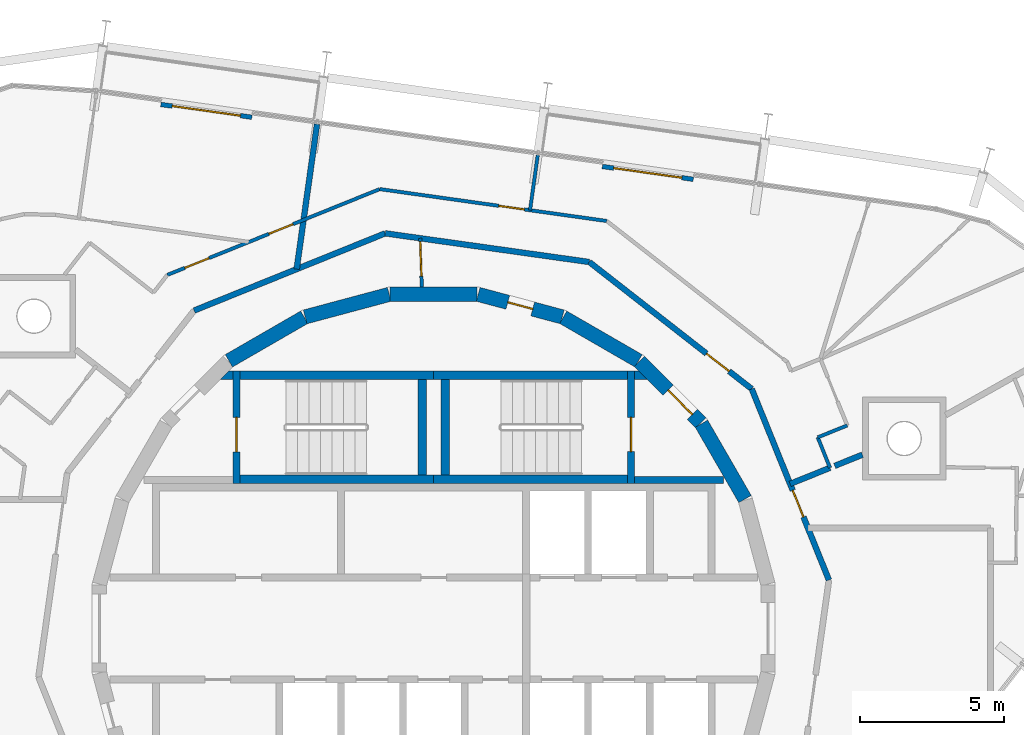
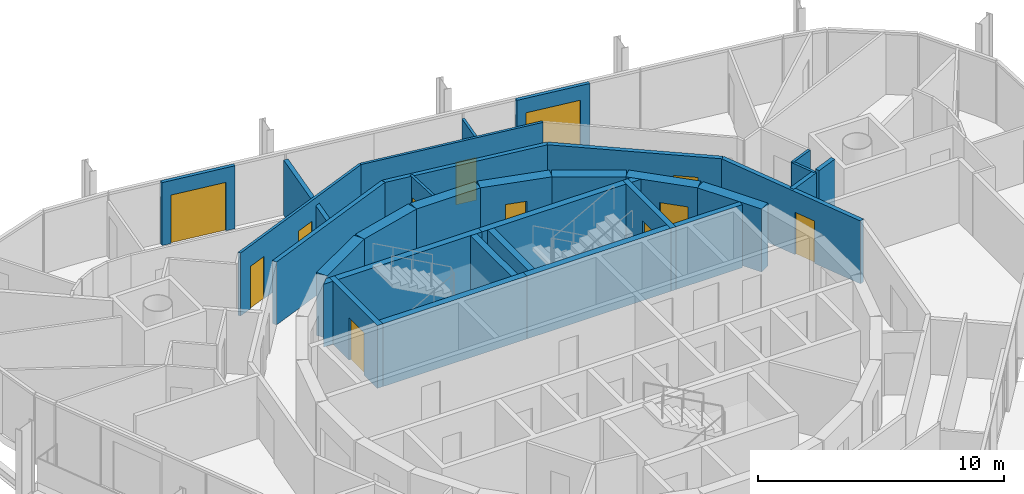
# One storey, part 13 of 15: 33 walls, 12 doors, 12 openings.
"""IFC4 building model written with IfcOpenShell, lengths in metres."""

from ifc_helpers import new_model, si_unit, direction, frame, frame_2d, origin, place, context, subcontext, project, spatial, polyline, rectangle, outline, extrude, material, layer, layer_set, type_object, element, fill, save


model = new_model("IFC4")

# Units and contexts
model_context = context("Model", 3, precision=1e-05, world=origin(), true_north=direction((0.0, 1.0)))
body_context = subcontext(model_context, "Body", "Model", "MODEL_VIEW")
ifc_project = project(units=[si_unit("LENGTHUNIT", "METRE"), si_unit("AREAUNIT", "SQUARE_METRE"), si_unit("VOLUMEUNIT", "CUBIC_METRE"), si_unit("PLANEANGLEUNIT", "RADIAN"), si_unit("MASSUNIT", "GRAM", prefix="KILO")], contexts=[model_context])

# Site, building, storey
site_placement = place(None, origin())
site = spatial("IfcSite", under=ifc_project, at=site_placement, CompositionType="ELEMENT")
building_placement = place(site_placement, origin())
building = spatial("IfcBuilding", under=site, at=building_placement, Name="Spindle Arch Residences", CompositionType="ELEMENT")
storey_placement = place(building_placement, frame((0.0, 0.0, 336.5)))
storey = spatial("IfcBuildingStorey", under=building, at=storey_placement, Name="L86", CompositionType="ELEMENT", Elevation=336.5)

# Wall
ifc_material_1 = material(Name="Concrete C50/60", Category="concrete")
ifc_layer_1 = layer(ifc_material_1, 0.5)
ifc_layer_set_1 = layer_set([ifc_layer_1], Name="Core outline wall 500")
wall_type_1 = type_object("IfcWallType", Name="Core outline wall 500", PredefinedType="SHEAR", material=ifc_layer_set_1)
wall_1_placement = place(storey_placement, frame((10.84521484375, 4.510498046875, 0.0), z_axis=(0.0, 0.0, 1.0), x_axis=(-0.500087131594, 0.865975092491, 0.0)))
element("IfcWall", 1, at=wall_1_placement, inside=storey, type_object=wall_type_1, Name="Core outline wall 8", PredefinedType="SHEAR", context=body_context, shape_type="SweptSolid", body=[
    extrude(rectangle(XDim=3.03271484375, YDim=0.5, at=frame_2d((1.516357421875, 0.0))), origin(), (0.0, 0.0, 1.0), 3.1201171875),
])

# Wall, opening, door
wall_2_placement = place(storey_placement, frame((9.30810546875, 7.163818359375, 0.0), z_axis=(0.0, 0.0, 1.0), x_axis=(-0.707106781187, 0.707106781187, 0.0)))
wall_2 = element("IfcWall", 2, at=wall_2_placement, inside=storey, type_object=wall_type_1, Name="Core outline wall 9", PredefinedType="SHEAR", context=body_context, shape_type="SweptSolid", body=[
    extrude(rectangle(XDim=3.032470703125, YDim=0.5, at=frame_2d((1.51611328125, 0.0))), origin(), (0.0, 0.0, 1.0), 3.1201171875),
])
opening_1_placement = place(wall_2_placement, frame((0.416259765625, 0.0, 0.0)))
opening_1 = element("IfcOpeningElement", 3, at=opening_1_placement, cuts=wall_2, Name="Opening R9A1-AD01", PredefinedType="OPENING", context=body_context, shape_type="SweptSolid", body=[
    extrude(rectangle(XDim=1.199951171875, YDim=2.10009765625, at=frame_2d((0.60009765625, 1.050048828125))), frame((0.0, 0.260009765625, 0.0), z_axis=(0.0, -1.0, 0.0), x_axis=(1.0, 0.0, 0.0)), (0.0, 0.0, 1.0), 0.52001953125),
])
ifc_material_2 = material(Name="Steel, fire-resisting door", Category="steel")
door_type_1 = type_object("IfcDoorType", Name="Stair airlock door 1200x2100", OperationType="SINGLE_SWING_LEFT", PredefinedType="DOOR", material=ifc_material_2)
door_1_placement = place(opening_1_placement, origin())
door_1 = element("IfcDoor", 4, at=door_1_placement, inside=storey, type_object=door_type_1, Name="Stair airlock door R9A1-AD01", OperationType="SINGLE_SWING_RIGHT", OverallHeight=2.10009765625, OverallWidth=1.199951171875, PredefinedType="DOOR", context=body_context, shape_type="SweptSolid", body=[
    extrude(rectangle(XDim=1.199951171875, YDim=2.10009765625, at=frame_2d((0.60009765625, 1.050048828125))), frame((0.0, 0.02490234375, 0.0), z_axis=(0.0, -1.0, 0.0), x_axis=(1.0, 0.0, 0.0)), (0.0, 0.0, 1.0), 0.050048828125),
])
fill(opening_1, door_1)

# Wall
wall_3_placement = place(storey_placement, frame((7.13671875, 9.32861328125, 0.0), z_axis=(0.0, 0.0, 1.0), x_axis=(-0.865975092491, 0.500087131594, 0.0)))
element("IfcWall", 5, at=wall_3_placement, inside=storey, type_object=wall_type_1, Name="Core outline wall 10", PredefinedType="SHEAR", context=body_context, shape_type="SweptSolid", body=[
    extrude(rectangle(XDim=3.03271484375, YDim=0.5, at=frame_2d((1.516357421875, 0.0))), origin(), (0.0, 0.0, 1.0), 3.1201171875),
])

# Wall, opening, door
wall_4_placement = place(storey_placement, frame((4.479248046875, 10.858154296875, 0.0), z_axis=(0.0, 0.0, 1.0), x_axis=(-0.965948410781, 0.258734743916, 0.0)))
wall_4 = element("IfcWall", 6, at=wall_4_placement, inside=storey, type_object=wall_type_1, Name="Core outline wall 11", PredefinedType="SHEAR", context=body_context, shape_type="SweptSolid", body=[
    extrude(rectangle(XDim=3.03271484375, YDim=0.5, at=frame_2d((1.516357421875, 0.0))), origin(), (0.0, 0.0, 1.0), 3.1201171875),
])
opening_2_placement = place(wall_4_placement, frame((1.066162109375, 0.0, 0.0)))
opening_2 = element("IfcOpeningElement", 7, at=opening_2_placement, cuts=wall_4, Name="Opening R9A1-WD11", PredefinedType="OPENING", context=body_context, shape_type="SweptSolid", body=[
    extrude(rectangle(XDim=0.89990234375, YDim=2.10009765625, at=frame_2d((0.449951171875, 1.050048828125))), frame((0.0, 0.260009765625, 0.0), z_axis=(0.0, -1.0, 0.0), x_axis=(1.0, 0.0, 0.0)), (0.0, 0.0, 1.0), 0.52001953125),
])
ifc_material_3 = material(Name="Steel, fire-resisting door", Category="steel")
door_type_2 = type_object("IfcDoorType", Name="Service room door 900x2100", OperationType="SINGLE_SWING_LEFT", PredefinedType="DOOR", material=ifc_material_3)
door_2_placement = place(opening_2_placement, origin())
door_2 = element("IfcDoor", 8, at=door_2_placement, inside=storey, type_object=door_type_2, Name="Service room door R9A1-WD11", OperationType="SINGLE_SWING_LEFT", OverallHeight=2.10009765625, OverallWidth=0.89990234375, PredefinedType="DOOR", context=body_context, shape_type="SweptSolid", body=[
    extrude(rectangle(XDim=0.89990234375, YDim=2.10009765625, at=frame_2d((0.449951171875, 1.050048828125))), frame((0.0, 0.02490234375, 0.0), z_axis=(0.0, -1.0, 0.0), x_axis=(1.0, 0.0, 0.0)), (0.0, 0.0, 1.0), 0.050048828125),
])
fill(opening_2, door_2)

# Walls
for number, where, z_axis, x_axis, name in (
    (9, (1.516357421875, 11.647216796875, 0.0), (0.0, 0.0, 1.0), (-1.0, 0.0, 0.0), "Core outline wall 12"),
    (10, (-1.5498046875, 11.642822265625, 0.0), (0.0, 0.0, 1.0), (-0.965948410781, -0.258734743916, 0.0), "Core outline wall 13"),
    (11, (-4.510498046875, 10.84521484375, 0.0), (0.0, 0.0, 1.0), (-0.865975092491, -0.500087131594, 0.0), "Core outline wall 14"),
):
    element("IfcWall", number, at=place(storey_placement, frame(where, z_axis=z_axis, x_axis=x_axis)), inside=storey, type_object=wall_type_1, Name=name, PredefinedType="SHEAR", context=body_context, shape_type="SweptSolid", body=[
        extrude(rectangle(XDim=3.03271484375, YDim=0.5, at=frame_2d((1.516357421875, 0.0))), origin(), (0.0, 0.0, 1.0), 3.1201171875),
    ])

# Wall, opening, door
ifc_material_4 = material(Name="Plasterboard on steel studs", Category="steel")
ifc_layer_2 = layer(ifc_material_4, 0.1201171875)
ifc_layer_set_2 = layer_set([ifc_layer_2], Name="Corridor division wall 120")
wall_type_2 = type_object("IfcWallType", Name="Corridor division wall 120", PredefinedType="PARTITIONING", material=ifc_layer_set_2)
wall_5_placement = place(storey_placement, frame((-0.474853515625, 13.598388671875, 0.0), z_axis=(0.0, 0.0, 1.0), x_axis=(0.034852521429, -0.999392466326, 0.0)))
wall_5 = element("IfcWall", 12, at=wall_5_placement, inside=storey, type_object=wall_type_2, Name="Corridor division wall R9A1-W001", PredefinedType="PARTITIONING", context=body_context, shape_type="SweptSolid", body=[
    extrude(rectangle(XDim=1.7021484375, YDim=0.1201171875, at=frame_2d((0.85107421875, 0.0))), origin(), (0.0, 0.0, 1.0), 3.1201171875),
])
opening_3_placement = place(wall_5_placement, frame((0.1201171875, 0.0, 0.0)))
opening_3 = element("IfcOpeningElement", 13, at=opening_3_placement, cuts=wall_5, Name="Opening R9A1-CD01", PredefinedType="OPENING", context=body_context, shape_type="SweptSolid", body=[
    extrude(rectangle(XDim=1.199951171875, YDim=2.10009765625, at=frame_2d((0.60009765625, 1.050048828125))), frame((0.0, 0.070068359375, 0.0), z_axis=(0.0, -1.0, 0.0), x_axis=(1.0, 0.0, 0.0)), (0.0, 0.0, 1.0), 0.14013671875),
])
ifc_material_5 = material(Name="Steel, fire-resisting door", Category="steel")
door_type_3 = type_object("IfcDoorType", Name="Corridor division door 1200x2100", OperationType="NOTDEFINED", PredefinedType="DOOR", material=ifc_material_5)
door_3_placement = place(opening_3_placement, origin())
door_3 = element("IfcDoor", 14, at=door_3_placement, inside=storey, type_object=door_type_3, Name="Corridor division door R9A1-CD01", OperationType="DOUBLE_DOOR_SINGLE_SWING", OverallHeight=2.10009765625, OverallWidth=1.199951171875, PredefinedType="DOOR", context=body_context, shape_type="SweptSolid", body=[
    extrude(rectangle(XDim=1.199951171875, YDim=2.10009765625, at=frame_2d((0.60009765625, 1.050048828125))), frame((0.0, 0.02490234375, 0.0), z_axis=(0.0, -1.0, 0.0), x_axis=(1.0, 0.0, 0.0)), (0.0, 0.0, 1.0), 0.050048828125),
])
fill(opening_3, door_3)

ifc_material_6 = material(Name="Calcium silicate block, plastered")
ifc_layer_3 = layer(ifc_material_6, 0.199951171875)
ifc_layer_set_3 = layer_set([ifc_layer_3], Name="Corridor wall 200")
wall_type_3 = type_object("IfcWallType", Name="Corridor wall 200", PredefinedType="STANDARD", material=ifc_layer_set_3)
wall_6_placement = place(storey_placement, frame((11.0791015625, 8.348876953125, 0.0), z_axis=(0.0, 0.0, 1.0), x_axis=(-0.78800478687, 0.615669112324, 0.0)))
wall_6 = element("IfcWall", 15, at=wall_6_placement, inside=storey, type_object=wall_type_3, Name="Corridor wall R9A1-W006", PredefinedType="STANDARD", context=body_context, shape_type="SweptSolid", body=[
    extrude(rectangle(XDim=7.18115234375, YDim=0.199951171875, at=frame_2d((3.590576171875, 0.0))), origin(), (0.0, 0.0, 1.0), 3.1201171875),
])
opening_4_placement = place(wall_6_placement, frame((1.0, 0.0, 0.0)))
opening_4 = element("IfcOpeningElement", 16, at=opening_4_placement, cuts=wall_6, Name="Opening R9A1-FD02", PredefinedType="OPENING", context=body_context, shape_type="SweptSolid", body=[
    extrude(rectangle(XDim=1.0, YDim=2.10009765625, at=frame_2d((0.5, 1.050048828125))), frame((0.0, 0.10986328125, 0.0), z_axis=(0.0, -1.0, 0.0), x_axis=(1.0, 0.0, 0.0)), (0.0, 0.0, 1.0), 0.219970703125),
])
ifc_material_7 = material(Name="Timber, fire-resisting door set", Category="wood")
door_type_4 = type_object("IfcDoorType", Name="Flat entrance door 1000x2100", OperationType="NOTDEFINED", PredefinedType="DOOR", material=ifc_material_7)
door_4_placement = place(opening_4_placement, origin())
door_4 = element("IfcDoor", 17, at=door_4_placement, inside=storey, type_object=door_type_4, Name="Flat entrance door R9A1-FD02", OperationType="SINGLE_SWING_LEFT", OverallHeight=2.10009765625, OverallWidth=1.0, PredefinedType="DOOR", context=body_context, shape_type="SweptSolid", body=[
    extrude(rectangle(XDim=1.0, YDim=2.10009765625, at=frame_2d((0.5, 1.050048828125))), frame((0.0, 0.02490234375, 0.0), z_axis=(0.0, -1.0, 0.0), x_axis=(1.0, 0.0, 0.0)), (0.0, 0.0, 1.0), 0.050048828125),
])
fill(opening_4, door_4)

# Walls
wall_7_placement = place(storey_placement, frame((5.42041015625, 12.77001953125, 0.0), z_axis=(0.0, 0.0, 1.0), x_axis=(-0.990270565508, 0.139155334385, 0.0)))
element("IfcWall", 18, at=wall_7_placement, inside=storey, type_object=wall_type_3, Name="Corridor wall R9A1-W007", PredefinedType="STANDARD", context=body_context, shape_type="SweptSolid", body=[
    extrude(rectangle(XDim=7.180908203125, YDim=0.199951171875, at=frame_2d((3.59033203125, 0.0))), origin(), (0.0, 0.0, 1.0), 3.1201171875),
])
wall_8_placement = place(storey_placement, frame((-1.690673828125, 13.769287109375, 0.0), z_axis=(0.0, 0.0, 1.0), x_axis=(-0.92717916932, -0.374618189599, 0.0)))
element("IfcWall", 19, at=wall_8_placement, inside=storey, type_object=wall_type_3, Name="Corridor wall R9A1-W011", PredefinedType="STANDARD", context=body_context, shape_type="SweptSolid", body=[
    extrude(rectangle(XDim=7.18115234375, YDim=0.199951171875, at=frame_2d((3.590576171875, 0.0))), origin(), (0.0, 0.0, 1.0), 3.1201171875),
])

# Wall, opening, door
ifc_material_8 = material(Name="Calcium silicate block, plastered")
ifc_layer_4 = layer(ifc_material_8, 0.199951171875)
ifc_layer_set_4 = layer_set([ifc_layer_4], Name="Fire-lift lobby bay wall 200")
wall_type_4 = type_object("IfcWallType", Name="Fire-lift lobby bay wall 200", PredefinedType="STANDARD", material=ifc_layer_set_4)
wall_9_placement = place(storey_placement, frame((13.769287109375, 1.690673828125, 0.0), z_axis=(0.0, 0.0, 1.0), x_axis=(-0.374618189599, 0.92717916932, 0.0)))
wall_9 = element("IfcWall", 20, at=wall_9_placement, inside=storey, type_object=wall_type_4, Name="Fire-lift lobby bay wall R9A1-W005", PredefinedType="STANDARD", context=body_context, shape_type="SweptSolid", body=[
    extrude(rectangle(XDim=7.18115234375, YDim=0.199951171875, at=frame_2d((3.590576171875, 0.0))), origin(), (0.0, 0.0, 1.0), 3.1201171875),
])
opening_5_placement = place(wall_9_placement, frame((2.37060546875, 0.0, 0.0)))
opening_5 = element("IfcOpeningElement", 21, at=opening_5_placement, cuts=wall_9, Name="Opening R9A1-FD01", PredefinedType="OPENING", context=body_context, shape_type="SweptSolid", body=[
    extrude(rectangle(XDim=1.0, YDim=2.10009765625, at=frame_2d((0.5, 1.050048828125))), frame((0.0, 0.10986328125, 0.0), z_axis=(0.0, -1.0, 0.0), x_axis=(1.0, 0.0, 0.0)), (0.0, 0.0, 1.0), 0.219970703125),
])
door_5_placement = place(opening_5_placement, origin())
door_5 = element("IfcDoor", 22, at=door_5_placement, inside=storey, type_object=door_type_4, Name="Flat entrance door R9A1-FD01", OperationType="SINGLE_SWING_LEFT", OverallHeight=2.10009765625, OverallWidth=1.0, PredefinedType="DOOR", context=body_context, shape_type="SweptSolid", body=[
    extrude(rectangle(XDim=1.0, YDim=2.10009765625, at=frame_2d((0.5, 1.050048828125))), frame((0.0, 0.02490234375, 0.0), z_axis=(0.0, -1.0, 0.0), x_axis=(1.0, 0.0, 0.0)), (0.0, 0.0, 1.0), 0.050048828125),
])
fill(opening_5, door_5)

# Walls
ifc_material_9 = material(Name="Plasterboard on steel studs", Category="steel")
ifc_layer_5 = layer(ifc_material_9, 0.1201171875)
ifc_layer_set_5 = layer_set([ifc_layer_5], Name="Flat partition 120")
wall_type_5 = type_object("IfcWallType", Name="Flat partition 120", PredefinedType="PARTITIONING", material=ifc_layer_set_5)
wall_10_placement = place(storey_placement, frame((13.80712890625, 5.60107421875, 0.0), z_axis=(0.0, 0.0, 1.0), x_axis=(-0.374480699852, 0.927234708927, 0.0)))
element("IfcWall", 23, at=wall_10_placement, inside=storey, type_object=wall_type_5, Name="Flat partition R9A1-W040", PredefinedType="PARTITIONING", context=body_context, shape_type="SweptSolid", body=[
    extrude(rectangle(XDim=1.1435546875, YDim=0.1201171875, at=frame_2d((0.57177734375, 0.0))), origin(), (0.0, 0.0, 1.0), 3.1201171875),
])
wall_11_placement = place(storey_placement, frame((13.37890625, 6.661376953125, 0.0), z_axis=(0.0, 0.0, 1.0), x_axis=(0.927225655522, 0.374503115797, 0.0)))
element("IfcWall", 24, at=wall_11_placement, inside=storey, type_object=wall_type_5, Name="Flat partition R9A1-W041", PredefinedType="PARTITIONING", context=body_context, shape_type="SweptSolid", body=[
    extrude(rectangle(XDim=1.108154296875, YDim=0.1201171875, at=frame_2d((0.55419921875, 0.0))), origin(), (0.0, 0.0, 1.0), 3.1201171875),
])

# Wall, opening, door
wall_12_placement = place(storey_placement, frame((6.02734375, 14.199462890625, 0.0), z_axis=(0.0, 0.0, 1.0), x_axis=(-0.990271593532, 0.139148018469, 0.0)))
wall_12 = element("IfcWall", 25, at=wall_12_placement, inside=storey, type_object=wall_type_5, Name="Flat partition R9A1-W046", PredefinedType="PARTITIONING", context=body_context, shape_type="SweptSolid", body=[
    extrude(rectangle(XDim=7.98486328125, YDim=0.1201171875, at=frame_2d((3.992431640625, 0.0))), origin(), (0.0, 0.0, 1.0), 3.1201171875),
])
opening_6_placement = place(wall_12_placement, frame((2.898193359375, 0.0, 0.0)))
opening_6 = element("IfcOpeningElement", 26, at=opening_6_placement, cuts=wall_12, Name="Opening R9A1-ID06", PredefinedType="OPENING", context=body_context, shape_type="SweptSolid", body=[
    extrude(rectangle(XDim=0.89990234375, YDim=2.10009765625, at=frame_2d((0.449951171875, 1.050048828125))), frame((0.0, 0.070068359375, 0.0), z_axis=(0.0, -1.0, 0.0), x_axis=(1.0, 0.0, 0.0)), (0.0, 0.0, 1.0), 0.14013671875),
])
ifc_material_10 = material(Name="Timber door set", Category="wood")
door_type_5 = type_object("IfcDoorType", Name="Room door 900x2100", OperationType="NOTDEFINED", PredefinedType="DOOR", material=ifc_material_10)
door_6_placement = place(opening_6_placement, origin())
door_6 = element("IfcDoor", 27, at=door_6_placement, inside=storey, type_object=door_type_5, Name="Room door R9A1-ID06", OperationType="SINGLE_SWING_LEFT", OverallHeight=2.10009765625, OverallWidth=0.89990234375, PredefinedType="DOOR", context=body_context, shape_type="SweptSolid", body=[
    extrude(rectangle(XDim=0.89990234375, YDim=2.10009765625, at=frame_2d((0.449951171875, 1.050048828125))), frame((0.0, 0.02490234375, 0.0), z_axis=(0.0, -1.0, 0.0), x_axis=(1.0, 0.0, 0.0)), (0.0, 0.0, 1.0), 0.050048828125),
])
fill(opening_6, door_6)

# Wall, openings, doors
wall_13_placement = place(storey_placement, frame((-1.8798828125, 15.310546875, 0.0), z_axis=(0.0, 0.0, 1.0), x_axis=(-0.927184866592, -0.374604088557, 0.0)))
wall_13 = element("IfcWall", 28, at=wall_13_placement, inside=storey, type_object=wall_type_5, Name="Flat partition R9A1-W047", PredefinedType="PARTITIONING", context=body_context, shape_type="SweptSolid", body=[
    extrude(rectangle(XDim=7.985107421875, YDim=0.1201171875, at=frame_2d((3.99267578125, 0.0))), origin(), (0.0, 0.0, 1.0), 3.1201171875),
])
opening_7_placement = place(wall_13_placement, frame((3.26220703125, 0.0, 0.0)))
opening_7 = element("IfcOpeningElement", 29, at=opening_7_placement, cuts=wall_13, Name="Opening R9A1-ID08", PredefinedType="OPENING", context=body_context, shape_type="SweptSolid", body=[
    extrude(rectangle(XDim=0.89990234375, YDim=2.10009765625, at=frame_2d((0.449951171875, 1.050048828125))), frame((0.0, 0.070068359375, 0.0), z_axis=(0.0, -1.0, 0.0), x_axis=(1.0, 0.0, 0.0)), (0.0, 0.0, 1.0), 0.14013671875),
])
opening_8_placement = place(wall_13_placement, frame((6.423095703125, 0.0, 0.0)))
opening_8 = element("IfcOpeningElement", 30, at=opening_8_placement, cuts=wall_13, Name="Opening R9A1-ID09", PredefinedType="OPENING", context=body_context, shape_type="SweptSolid", body=[
    extrude(rectangle(XDim=0.89990234375, YDim=2.10009765625, at=frame_2d((0.449951171875, 1.050048828125))), frame((0.0, 0.070068359375, 0.0), z_axis=(0.0, -1.0, 0.0), x_axis=(1.0, 0.0, 0.0)), (0.0, 0.0, 1.0), 0.14013671875),
])
door_7_placement = place(opening_7_placement, origin())
door_7 = element("IfcDoor", 31, at=door_7_placement, inside=storey, type_object=door_type_5, Name="Room door R9A1-ID08", OperationType="SINGLE_SWING_RIGHT", OverallHeight=2.10009765625, OverallWidth=0.89990234375, PredefinedType="DOOR", context=body_context, shape_type="SweptSolid", body=[
    extrude(rectangle(XDim=0.89990234375, YDim=2.10009765625, at=frame_2d((0.449951171875, 1.050048828125))), frame((0.0, 0.02490234375, 0.0), z_axis=(0.0, -1.0, 0.0), x_axis=(1.0, 0.0, 0.0)), (0.0, 0.0, 1.0), 0.050048828125),
])
fill(opening_7, door_7)
door_8_placement = place(opening_8_placement, origin())
door_8 = element("IfcDoor", 32, at=door_8_placement, inside=storey, type_object=door_type_5, Name="Room door R9A1-ID09", OperationType="SINGLE_SWING_RIGHT", OverallHeight=2.10009765625, OverallWidth=0.89990234375, PredefinedType="DOOR", context=body_context, shape_type="SweptSolid", body=[
    extrude(rectangle(XDim=0.89990234375, YDim=2.10009765625, at=frame_2d((0.449951171875, 1.050048828125))), frame((0.0, 0.02490234375, 0.0), z_axis=(0.0, -1.0, 0.0), x_axis=(1.0, 0.0, 0.0)), (0.0, 0.0, 1.0), 0.050048828125),
])
fill(opening_8, door_8)

# Walls
ifc_material_11 = material(Name="Plasterboard on steel studs", Category="steel")
ifc_layer_6 = layer(ifc_material_11, 0.1201171875)
ifc_layer_set_6 = layer_set([ifc_layer_6], Name="Flat partition 120 under beam 2730")
wall_type_6 = type_object("IfcWallType", Name="Flat partition 120 under beam 2730", PredefinedType="PARTITIONING", material=ifc_layer_set_6)
wall_14_placement = place(storey_placement, frame((3.625, 16.494384765625, 0.0), z_axis=(0.0, 0.0, 1.0), x_axis=(-0.139181494832, -0.990266889023, 0.0)))
element("IfcWall", 33, at=wall_14_placement, inside=storey, type_object=wall_type_6, Name="Flat partition R9A1-W051", PredefinedType="PARTITIONING", context=body_context, shape_type="SweptSolid", body=[
    extrude(rectangle(XDim=1.938232421875, YDim=0.1201171875, at=frame_2d((0.96923828125, 0.0))), origin(), (0.0, 0.0, 1.0), 2.72998046875),
])
ifc_material_12 = material(Name="Calcium silicate block, plastered")
ifc_layer_7 = layer(ifc_material_12, 0.199951171875)
ifc_layer_set_7 = layer_set([ifc_layer_7], Name="Flat party wall 200")
wall_type_7 = type_object("IfcWallType", Name="Flat party wall 200", PredefinedType="STANDARD", material=ifc_layer_set_7)
wall_15_placement = place(storey_placement, frame((13.80712890625, 5.60107421875, 0.0), z_axis=(0.0, 0.0, 1.0), x_axis=(-0.927202702405, -0.374559939999, 0.0)))
element("IfcWall", 34, at=wall_15_placement, inside=storey, type_object=wall_type_7, Name="Flat party wall R9A1-W022", PredefinedType="STANDARD", context=body_context, shape_type="SweptSolid", body=[
    extrude(rectangle(XDim=1.499755859375, YDim=0.199951171875, at=frame_2d((0.75, 0.0))), origin(), (0.0, 0.0, 1.0), 3.1201171875),
])
wall_16_placement = place(storey_placement, frame((14.93359375, 6.05615234375, 0.0), z_axis=(0.0, 0.0, 1.0), x_axis=(-0.927219802432, -0.374517607032, 0.0)))
element("IfcWall", 35, at=wall_16_placement, inside=storey, type_object=wall_type_7, Name="Flat party wall R9A1-W023", PredefinedType="STANDARD", context=body_context, shape_type="SweptSolid", body=[
    extrude(rectangle(XDim=1.035888671875, YDim=0.199951171875, at=frame_2d((0.51806640625, 0.0))), origin(), (0.0, 0.0, 1.0), 3.1201171875),
])
ifc_material_13 = material(Name="Calcium silicate block, plastered")
ifc_layer_8 = layer(ifc_material_13, 0.199951171875)
ifc_layer_set_8 = layer_set([ifc_layer_8], Name="Flat party wall 200 under beam 2730")
wall_type_8 = type_object("IfcWallType", Name="Flat party wall 200 under beam 2730", PredefinedType="STANDARD", material=ifc_layer_set_8)
wall_17_placement = place(storey_placement, frame((-4.06494140625, 17.5751953125, 0.0), z_axis=(0.0, 0.0, 1.0), x_axis=(-0.139163175955, -0.990269463559, 0.0)))
element("IfcWall", 36, at=wall_17_placement, inside=storey, type_object=wall_type_8, Name="Flat party wall R9A1-W025", PredefinedType="STANDARD", context=body_context, shape_type="SweptSolid", body=[
    extrude(rectangle(XDim=5.1015625, YDim=0.199951171875, at=frame_2d((2.55078125, 0.0))), origin(), (0.0, 0.0, 1.0), 2.72998046875),
])

# Wall, opening, door
ifc_material_14 = material(Name="Non-combustible mineral wool insulated aluminium faced external wall (K0)", Category="aluminium")
ifc_layer_9 = layer(ifc_material_14, 0.159912109375)
ifc_layer_set_9 = layer_set([ifc_layer_9], Name="Insulated external wall panel 160")
wall_type_9 = type_object("IfcWallType", Name="Insulated external wall panel 160", PredefinedType="STANDARD", material=ifc_layer_set_9)
wall_18_placement = place(storey_placement, frame((9.04345703125, 15.652099609375, 0.0), z_axis=(0.0, 0.0, 1.0), x_axis=(-0.990270382149, 0.139156639217, 0.0)))
wall_18 = element("IfcWall", 37, at=wall_18_placement, inside=storey, type_object=wall_type_9, Name="External wall L86 bay 6", PredefinedType="STANDARD", context=body_context, shape_type="SweptSolid", body=[
    extrude(rectangle(XDim=3.2001953125, YDim=0.159912109375, at=frame_2d((1.60009765625, 0.0))), origin(), (0.0, 0.0, 1.0), 3.1201171875),
])
opening_9_placement = place(wall_18_placement, frame((0.39990234375, 0.0, 0.0)))
opening_9 = element("IfcOpeningElement", 38, at=opening_9_placement, cuts=wall_18, Name="Opening BD06", PredefinedType="OPENING", context=body_context, shape_type="SweptSolid", body=[
    extrude(rectangle(XDim=2.39990234375, YDim=2.39990234375, at=frame_2d((1.199951171875, 1.199951171875))), frame((0.0, 0.08984375, 0.0), z_axis=(0.0, -1.0, 0.0), x_axis=(1.0, 0.0, 0.0)), (0.0, 0.0, 1.0), 0.179931640625),
])
ifc_material_15 = material(Name="Bronze aluminium frame, tinted double glazing", Category="aluminium")
door_type_6 = type_object("IfcDoorType", Name="Sliding glazed balcony door 2400x2400", OperationType="DOUBLE_DOOR_SLIDING", PredefinedType="DOOR", material=ifc_material_15)
door_9_placement = place(opening_9_placement, origin())
door_9 = element("IfcDoor", 39, at=door_9_placement, inside=storey, type_object=door_type_6, Name="Balcony door BD06", OperationType="DOUBLE_DOOR_SLIDING", OverallHeight=2.39990234375, OverallWidth=2.39990234375, PredefinedType="DOOR", context=body_context, shape_type="SweptSolid", body=[
    extrude(rectangle(XDim=2.39990234375, YDim=2.39990234375, at=frame_2d((1.199951171875, 1.199951171875))), frame((0.0, 0.02490234375, 0.0), z_axis=(0.0, -1.0, 0.0), x_axis=(1.0, 0.0, 0.0)), (0.0, 0.0, 1.0), 0.050048828125),
])
fill(opening_9, door_9)

wall_19_placement = place(storey_placement, frame((-6.336669921875, 17.813720703125, 0.0), z_axis=(0.0, 0.0, 1.0), x_axis=(-0.99026890462, 0.13916715325, 0.0)))
wall_19 = element("IfcWall", 40, at=wall_19_placement, inside=storey, type_object=wall_type_9, Name="External wall L86 bay 8", PredefinedType="STANDARD", context=body_context, shape_type="SweptSolid", body=[
    extrude(rectangle(XDim=3.199951171875, YDim=0.159912109375, at=frame_2d((1.60009765625, 0.0))), origin(), (0.0, 0.0, 1.0), 3.1201171875),
])
opening_10_placement = place(wall_19_placement, frame((0.39990234375, 0.0, 0.0)))
opening_10 = element("IfcOpeningElement", 41, at=opening_10_placement, cuts=wall_19, Name="Opening BD08", PredefinedType="OPENING", context=body_context, shape_type="SweptSolid", body=[
    extrude(rectangle(XDim=2.39990234375, YDim=2.39990234375, at=frame_2d((1.199951171875, 1.199951171875))), frame((0.0, 0.08984375, 0.0), z_axis=(0.0, -1.0, 0.0), x_axis=(1.0, 0.0, 0.0)), (0.0, 0.0, 1.0), 0.179931640625),
])
door_10_placement = place(opening_10_placement, origin())
door_10 = element("IfcDoor", 42, at=door_10_placement, inside=storey, type_object=door_type_6, Name="Balcony door BD08", OperationType="DOUBLE_DOOR_SLIDING", OverallHeight=2.39990234375, OverallWidth=2.39990234375, PredefinedType="DOOR", context=body_context, shape_type="SweptSolid", body=[
    extrude(rectangle(XDim=2.39990234375, YDim=2.39990234375, at=frame_2d((1.199951171875, 1.199951171875))), frame((0.0, 0.02490234375, 0.0), z_axis=(0.0, -1.0, 0.0), x_axis=(1.0, 0.0, 0.0)), (0.0, 0.0, 1.0), 0.050048828125),
])
fill(opening_10, door_10)

# Walls
ifc_material_16 = material(Name="Concrete C40/50", Category="concrete")
ifc_layer_10 = layer(ifc_material_16, 0.25)
ifc_layer_set_10 = layer_set([ifc_layer_10], Name="Stair airlock wall 250")
wall_type_10 = type_object("IfcWallType", Name="Stair airlock wall 250", PredefinedType="SHEAR", material=ifc_layer_set_10)
wall_20_placement = place(storey_placement, frame((7.0, 5.175048828125, 0.0), z_axis=(0.0, 0.0, 1.0), x_axis=(1.0, 0.0, 0.0)))
element("IfcWall", 43, at=wall_20_placement, inside=storey, type_object=wall_type_10, Name="Stair ST-1 airlock wall S", PredefinedType="SHEAR", context=body_context, shape_type="SweptSolid", body=[
    extrude(rectangle(XDim=3.10009765625, YDim=0.25, at=frame_2d((1.550048828125, 0.0))), origin(), (0.0, 0.0, 1.0), 3.1201171875),
])
ifc_material_17 = material(Name="Concrete C40/50", Category="concrete")
wall_type_11 = type_object("IfcWallType", Name="Stair airlock wall profile", PredefinedType="SHEAR", material=ifc_material_17)
wall_21_placement = place(storey_placement, origin())
element("IfcWall", 44, at=wall_21_placement, inside=storey, type_object=wall_type_11, Name="Stair ST-1 airlock wall N", PredefinedType="SHEAR", context=body_context, shape_type="SweptSolid", body=[
    extrude(outline(polyline([(7.4482421875, 8.669921875), (7.0, 8.669921875), (7.0, 8.969970703125), (7.148193359375, 8.969970703125), (7.4482421875, 8.669921875)])), origin(), (0.0, 0.0, 1.0), 3.1201171875),
])
wall_22_placement = place(storey_placement, origin())
element("IfcWall", 45, at=wall_22_placement, inside=storey, type_object=wall_type_11, Name="Stair ST-2 airlock wall N", PredefinedType="SHEAR", context=body_context, shape_type="SweptSolid", body=[
    extrude(outline(polyline([(-7.148193359375, 8.969970703125), (-7.0, 8.969970703125), (-7.0, 8.669921875), (-7.4482421875, 8.669921875), (-7.148193359375, 8.969970703125)])), origin(), (0.0, 0.0, 1.0), 3.1201171875),
])

# Wall, opening, door
ifc_material_18 = material(Name="Concrete C50/60", Category="concrete")
ifc_layer_11 = layer(ifc_material_18, 0.25)
ifc_layer_set_11 = layer_set([ifc_layer_11], Name="Stair enclosure wall 250")
wall_type_12 = type_object("IfcWallType", Name="Stair enclosure wall 250", PredefinedType="SHEAR", material=ifc_layer_set_11)
wall_23_placement = place(storey_placement, frame((6.875, 5.050048828125, 0.0), z_axis=(0.0, 0.0, 1.0), x_axis=(0.0, 1.0, 0.0)))
wall_23 = element("IfcWall", 46, at=wall_23_placement, inside=storey, type_object=wall_type_12, Name="Stair ST-1 door wall", PredefinedType="SHEAR", context=body_context, shape_type="SweptSolid", body=[
    extrude(rectangle(XDim=3.919921875, YDim=0.25, at=frame_2d((1.9599609375, 0.0))), origin(), (0.0, 0.0, 1.0), 3.1201171875),
])
opening_11_placement = place(wall_23_placement, frame((1.110107421875, 0.0, 0.0)))
opening_11 = element("IfcOpeningElement", 47, at=opening_11_placement, cuts=wall_23, Name="Opening R9A1-SD01", PredefinedType="OPENING", context=body_context, shape_type="SweptSolid", body=[
    extrude(rectangle(XDim=1.199951171875, YDim=2.10009765625, at=frame_2d((0.60009765625, 1.050048828125))), frame((0.0, 0.135009765625, 0.0), z_axis=(0.0, -1.0, 0.0), x_axis=(1.0, 0.0, 0.0)), (0.0, 0.0, 1.0), 0.27001953125),
])
ifc_material_19 = material(Name="Steel, fire-resisting door", Category="steel")
door_type_7 = type_object("IfcDoorType", Name="Stair door 1200x2100", OperationType="SINGLE_SWING_RIGHT", PredefinedType="DOOR", material=ifc_material_19)
door_11_placement = place(opening_11_placement, origin())
door_11 = element("IfcDoor", 48, at=door_11_placement, inside=storey, type_object=door_type_7, Name="Stair door R9A1-SD01", OperationType="SINGLE_SWING_LEFT", OverallHeight=2.10009765625, OverallWidth=1.199951171875, PredefinedType="DOOR", context=body_context, shape_type="SweptSolid", body=[
    extrude(rectangle(XDim=1.199951171875, YDim=2.10009765625, at=frame_2d((0.60009765625, 1.050048828125))), frame((0.0, 0.02490234375, 0.0), z_axis=(0.0, -1.0, 0.0), x_axis=(1.0, 0.0, 0.0)), (0.0, 0.0, 1.0), 0.050048828125),
])
fill(opening_11, door_11)

wall_24_placement = place(storey_placement, frame((-6.875, 8.969970703125, 0.0), z_axis=(0.0, 0.0, 1.0), x_axis=(0.0, -1.0, 0.0)))
wall_24 = element("IfcWall", 49, at=wall_24_placement, inside=storey, type_object=wall_type_12, Name="Stair ST-2 door wall", PredefinedType="SHEAR", context=body_context, shape_type="SweptSolid", body=[
    extrude(rectangle(XDim=3.919921875, YDim=0.25, at=frame_2d((1.9599609375, 0.0))), origin(), (0.0, 0.0, 1.0), 3.1201171875),
])
opening_12_placement = place(wall_24_placement, frame((1.610107421875, 0.0, 0.0)))
opening_12 = element("IfcOpeningElement", 50, at=opening_12_placement, cuts=wall_24, Name="Opening R9A1-SD02", PredefinedType="OPENING", context=body_context, shape_type="SweptSolid", body=[
    extrude(rectangle(XDim=1.199951171875, YDim=2.10009765625, at=frame_2d((0.60009765625, 1.050048828125))), frame((0.0, 0.135009765625, 0.0), z_axis=(0.0, -1.0, 0.0), x_axis=(1.0, 0.0, 0.0)), (0.0, 0.0, 1.0), 0.27001953125),
])
door_12_placement = place(opening_12_placement, origin())
door_12 = element("IfcDoor", 51, at=door_12_placement, inside=storey, type_object=door_type_7, Name="Stair door R9A1-SD02", OperationType="SINGLE_SWING_LEFT", OverallHeight=2.10009765625, OverallWidth=1.199951171875, PredefinedType="DOOR", context=body_context, shape_type="SweptSolid", body=[
    extrude(rectangle(XDim=1.199951171875, YDim=2.10009765625, at=frame_2d((0.60009765625, 1.050048828125))), frame((0.0, 0.02490234375, 0.0), z_axis=(0.0, -1.0, 0.0), x_axis=(1.0, 0.0, 0.0)), (0.0, 0.0, 1.0), 0.050048828125),
])
fill(opening_12, door_12)

# Walls
ifc_material_20 = material(Name="Concrete C50/60", Category="concrete")
ifc_layer_12 = layer(ifc_material_20, 0.300048828125)
ifc_layer_set_12 = layer_set([ifc_layer_12], Name="Stair enclosure wall 300")
wall_type_13 = type_object("IfcWallType", Name="Stair enclosure wall 300", PredefinedType="SHEAR", material=ifc_layer_set_12)
for number, where, z_axis, x_axis, name in (
    (52, (0.0, 5.199951171875, 0.0), (0.0, 0.0, 1.0), (1.0, 0.0, 0.0), "Stair ST-1 enclosure wall S"),
    (53, (0.0, 8.820068359375, 0.0), (0.0, 0.0, 1.0), (1.0, 0.0, 0.0), "Stair ST-1 enclosure wall N"),
):
    element("IfcWall", number, at=place(storey_placement, frame(where, z_axis=z_axis, x_axis=x_axis)), inside=storey, type_object=wall_type_13, Name=name, PredefinedType="SHEAR", context=body_context, shape_type="SweptSolid", body=[
        extrude(rectangle(XDim=6.75, YDim=0.300048828125, at=frame_2d((3.375, 0.0))), origin(), (0.0, 0.0, 1.0), 3.1201171875),
    ])
wall_25_placement = place(storey_placement, frame((0.39990234375, 5.35009765625, 0.0), z_axis=(0.0, 0.0, 1.0), x_axis=(0.0, 1.0, 0.0)))
element("IfcWall", 54, at=wall_25_placement, inside=storey, type_object=wall_type_13, Name="Stair ST-1 enclosure wall F", PredefinedType="SHEAR", context=body_context, shape_type="SweptSolid", body=[
    extrude(rectangle(XDim=3.31982421875, YDim=0.300048828125, at=frame_2d((1.659912109375, 0.0))), origin(), (0.0, 0.0, 1.0), 3.1201171875),
])
for number, where, z_axis, x_axis, name in (
    (55, (-6.75, 5.199951171875, 0.0), (0.0, 0.0, 1.0), (1.0, 0.0, 0.0), "Stair ST-2 enclosure wall S"),
    (56, (-6.75, 8.820068359375, 0.0), (0.0, 0.0, 1.0), (1.0, 0.0, 0.0), "Stair ST-2 enclosure wall N"),
):
    element("IfcWall", number, at=place(storey_placement, frame(where, z_axis=z_axis, x_axis=x_axis)), inside=storey, type_object=wall_type_13, Name=name, PredefinedType="SHEAR", context=body_context, shape_type="SweptSolid", body=[
        extrude(rectangle(XDim=6.75, YDim=0.300048828125, at=frame_2d((3.375, 0.0))), origin(), (0.0, 0.0, 1.0), 3.1201171875),
    ])
wall_26_placement = place(storey_placement, frame((-0.39990234375, 5.35009765625, 0.0), z_axis=(0.0, 0.0, 1.0), x_axis=(0.0, 1.0, 0.0)))
element("IfcWall", 57, at=wall_26_placement, inside=storey, type_object=wall_type_13, Name="Stair ST-2 enclosure wall F", PredefinedType="SHEAR", context=body_context, shape_type="SweptSolid", body=[
    extrude(rectangle(XDim=3.31982421875, YDim=0.300048828125, at=frame_2d((1.659912109375, 0.0))), origin(), (0.0, 0.0, 1.0), 3.1201171875),
])

save(model, "model.ifc")
